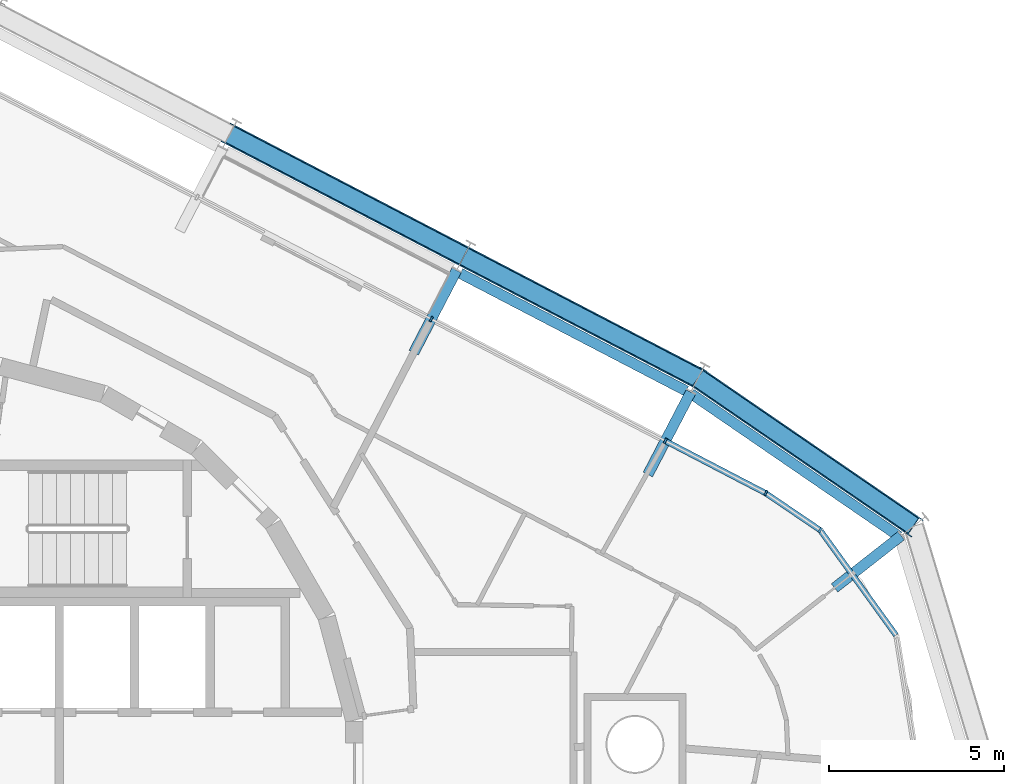
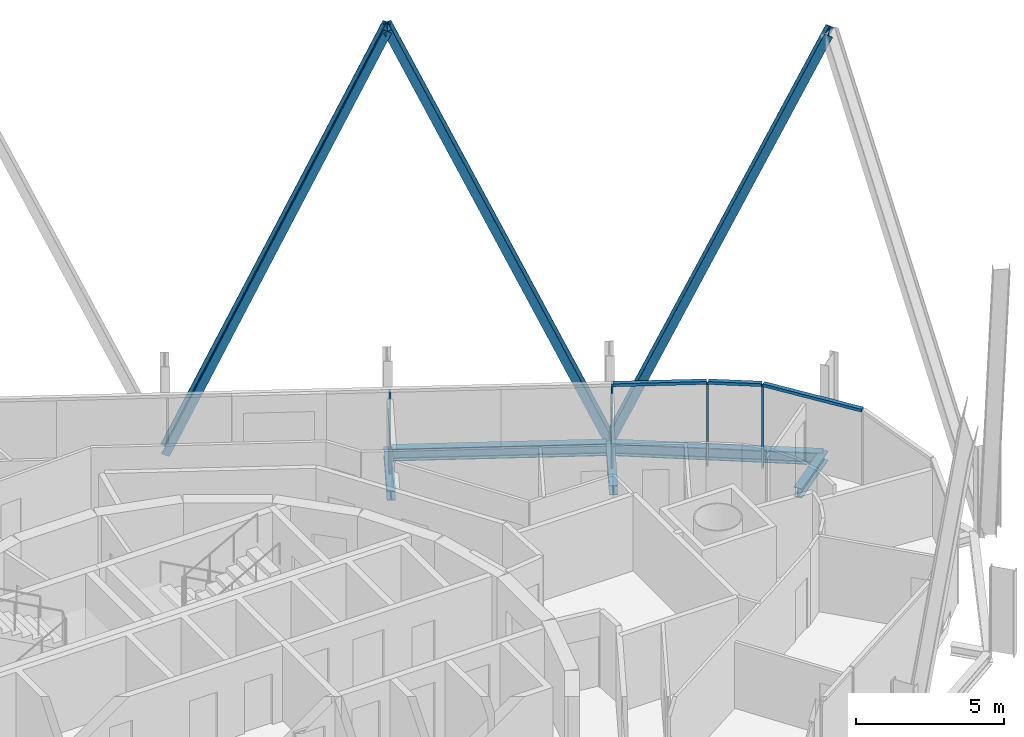
# One storey, part 9 of 18: 10 members, 5 beams, 2 elements without a shape of their own.
"""IFC4 building model written with IfcOpenShell, lengths in metres."""

from ifc_helpers import new_model, si_unit, direction, frame, origin, origin_2d, place, context, subcontext, project, spatial, rectangle, i_section, extrude, material, layer, layer_set, material_profile, profile_set, type_object, element, aggregate, save


model = new_model("IFC4")

# Units and contexts
model_context = context("Model", 3, precision=1e-05, world=origin(), true_north=direction((0.0, 1.0)))
body_context = subcontext(model_context, "Body", "Model", "MODEL_VIEW")
ifc_project = project(units=[si_unit("LENGTHUNIT", "METRE"), si_unit("AREAUNIT", "SQUARE_METRE"), si_unit("VOLUMEUNIT", "CUBIC_METRE"), si_unit("PLANEANGLEUNIT", "RADIAN"), si_unit("MASSUNIT", "GRAM", prefix="KILO")], contexts=[model_context])

# Site, building, storey
site_placement = place(None, origin())
site = spatial("IfcSite", under=ifc_project, at=site_placement, CompositionType="ELEMENT")
building_placement = place(site_placement, origin())
building = spatial("IfcBuilding", under=site, at=building_placement, Name="Spindle Arch Residences", CompositionType="ELEMENT")
storey_placement = place(building_placement, frame((0.0, 0.0, 240.699951171875)))
storey = spatial("IfcBuildingStorey", under=building, at=storey_placement, Name="L61", CompositionType="ELEMENT", Elevation=240.699951171875)

# Curtain wall, members
ifc_material_1 = material(Name="Aluminium bronze unitised frame with tinted glass", Category="aluminium")
ifc_layer_1 = layer(ifc_material_1, 0.159912109375)
ifc_layer_set_1 = layer_set([ifc_layer_1], Name="CW-D corner wall on the fillet arcs")
curtain_wall_type_1 = type_object("IfcCurtainWallType", Name="CW-D corner wall on the fillet arcs", PredefinedType="NOTDEFINED", material=ifc_layer_set_1)
curtain_wall_1_placement = place(storey_placement, origin())
curtain_wall_1 = element("IfcCurtainWall", 1, at=curtain_wall_1_placement, inside=storey, type_object=curtain_wall_type_1, Name="CW-D L61 run 1", PredefinedType="NOTDEFINED")
ifc_material_2 = material(Name="Aluminium bronze anodised mullion", Category="aluminium")
ifc_material_profile_1 = material_profile(ifc_material_2, rectangle(XDim=0.159912109375, YDim=0.06005859375, at=origin_2d()), Name="MU 60x160")
ifc_profile_set_1 = profile_set([ifc_material_profile_1], Name="Aluminium bronze anodised mullion")
member_type_1 = type_object("IfcMemberType", Name="Bronze mullion 60x160", PredefinedType="MULLION", material=ifc_profile_set_1)
member_1_placement = place(storey_placement, frame((24.93310546875, 6.971435546875, -0.3798828125), z_axis=(0.0, 0.0, 1.0), x_axis=(-0.561602105546, -0.827407441981, 0.0)))
member_1 = element("IfcMember", 2, at=member_1_placement, type_object=member_type_1, Name="CW-D mullion 05", PredefinedType="MULLION", context=body_context, shape_type="SweptSolid", body=[
    extrude(rectangle(XDim=0.159912109375, YDim=0.06005859375, at=origin_2d()), origin(), (0.0, 0.0, 1.0), 3.3798828125),
])
member_2_placement = place(storey_placement, frame((23.380859375, 8.02490234375, -0.3798828125), z_axis=(0.0, 0.0, 1.0), x_axis=(-0.461748613235, -0.887010833178, 0.0)))
member_2 = element("IfcMember", 3, at=member_2_placement, type_object=member_type_1, Name="CW-D mullion 06", PredefinedType="MULLION", context=body_context, shape_type="SweptSolid", body=[
    extrude(rectangle(XDim=0.159912109375, YDim=0.06005859375, at=origin_2d()), origin(), (0.0, 0.0, 1.0), 3.3798828125),
])

ifc_material_3 = material(Name="Aluminium bronze unitised frame with tinted glass", Category="aluminium")
ifc_layer_2 = layer(ifc_material_3, 0.159912109375)
ifc_layer_set_2 = layer_set([ifc_layer_2], Name="CW-C typical residential unitised wall")
curtain_wall_type_2 = type_object("IfcCurtainWallType", Name="CW-C typical residential unitised wall", PredefinedType="NOTDEFINED", material=ifc_layer_set_2)
curtain_wall_2_placement = place(storey_placement, origin())
curtain_wall_2 = element("IfcCurtainWall", 4, at=curtain_wall_2_placement, inside=storey, type_object=curtain_wall_type_2, Name="CW-C L61 run 2", PredefinedType="NOTDEFINED")
member_3_placement = place(storey_placement, frame((20.517333984375, 9.515625, -0.3798828125), z_axis=(0.0, 0.0, 1.0), x_axis=(-0.461748613235, -0.887010833178, 0.0)))
member_3 = element("IfcMember", 5, at=member_3_placement, type_object=member_type_1, Name="CW-C mullion 05", PredefinedType="MULLION", context=body_context, shape_type="SweptSolid", body=[
    extrude(rectangle(XDim=0.159912109375, YDim=0.06005859375, at=origin_2d()), origin(), (0.0, 0.0, 1.0), 3.3798828125),
])
member_4_placement = place(storey_placement, frame((13.837890625, 12.99267578125, -0.3798828125), z_axis=(0.0, 0.0, 1.0), x_axis=(-0.461748613235, -0.887010833178, 0.0)))
member_4 = element("IfcMember", 6, at=member_4_placement, type_object=member_type_1, Name="CW-C mullion 06", PredefinedType="MULLION", context=body_context, shape_type="SweptSolid", body=[
    extrude(rectangle(XDim=0.159912109375, YDim=0.06005859375, at=origin_2d()), origin(), (0.0, 0.0, 1.0), 3.3798828125),
])
aggregate(curtain_wall_2, [member_3, member_4])

# Member
ifc_material_4 = material(Name="Aluminium bronze anodised transom", Category="aluminium")
ifc_material_profile_2 = material_profile(ifc_material_4, rectangle(XDim=0.159912109375, YDim=0.1201171875, at=origin_2d()), Name="TR 120x160")
ifc_profile_set_2 = profile_set([ifc_material_profile_2], Name="Aluminium bronze anodised transom")
member_type_2 = type_object("IfcMemberType", Name="Bronze transom 120x160", PredefinedType="USERDEFINED", material=ifc_profile_set_2)
member_5_placement = place(storey_placement, frame((27.097412109375, 3.974365234375, 3.06005859375), z_axis=(-0.585456519469, 0.810703807695, 0.0), x_axis=(-0.810703807695, -0.585456519469, 0.0)))
member_5 = element("IfcMember", 7, at=member_5_placement, type_object=member_type_2, Name="CW-D transom 04", ObjectType="TRANSOM", PredefinedType="USERDEFINED", context=body_context, shape_type="SweptSolid", body=[
    extrude(rectangle(XDim=0.159912109375, YDim=0.1201171875, at=origin_2d()), origin(), (0.0, 0.0, 1.0), 3.666748046875),
])

member_6_placement = place(storey_placement, frame((24.908447265625, 6.98828125, 3.06005859375), z_axis=(-0.827451234698, 0.561537580396, 0.0), x_axis=(-0.561537580396, -0.827451234698, 0.0)))
member_6 = element("IfcMember", 8, at=member_6_placement, type_object=member_type_2, Name="CW-D transom 05", ObjectType="TRANSOM", PredefinedType="USERDEFINED", context=body_context, shape_type="SweptSolid", body=[
    extrude(rectangle(XDim=0.159912109375, YDim=0.1201171875, at=origin_2d()), origin(), (0.0, 0.0, 1.0), 1.816162109375),
])

member_7_placement = place(storey_placement, frame((23.354248046875, 8.038818359375, 3.06005859375), z_axis=(-0.886987077292, 0.461794245002, 0.0), x_axis=(-0.461794245002, -0.886987077292, 0.0)))
member_7 = element("IfcMember", 9, at=member_7_placement, type_object=member_type_2, Name="CW-D transom 06", ObjectType="TRANSOM", PredefinedType="USERDEFINED", context=body_context, shape_type="SweptSolid", body=[
    extrude(rectangle(XDim=0.159912109375, YDim=0.1201171875, at=origin_2d()), origin(), (0.0, 0.0, 1.0), 3.16845703125),
])

aggregate(curtain_wall_1, [member_5, member_1, member_6, member_2, member_7])

# Members
ifc_material_5 = material(Name="Steel S460ML, intumescent coating R 240", Category="steel")
ifc_material_profile_3 = material_profile(ifc_material_5, i_section(OverallWidth=0.300048828125, OverallDepth=0.60009765625, WebThickness=0.015380859375, FlangeThickness=0.030029296875, FilletRadius=0.027099609375, at=origin_2d()), Name="HEB 600")
ifc_profile_set_3 = profile_set([ifc_material_profile_3], Name="Steel S460ML, intumescent coating R 240")
member_type_3 = type_object("IfcMemberType", Name="Diagrid diagonal HEB 600", PredefinedType="BRACE", material=ifc_profile_set_3)
member_8_placement = place(storey_placement, frame((21.449951171875, 11.3076171875, -0.6298828125), z_axis=(0.326808971049, -0.224201024175, 0.918112083136), x_axis=(-0.757081738052, 0.519381400426, 0.396320833163)))
element("IfcMember", 10, at=member_8_placement, inside=storey, type_object=member_type_3, Name="Diagrid diagonal 6.2.5", PredefinedType="BRACE", context=body_context, shape_type="SweptSolid", body=[
    extrude(i_section(OverallWidth=0.300048828125, OverallDepth=0.60009765625, WebThickness=0.015380859375, FlangeThickness=0.030029296875, FilletRadius=0.027099609375, at=origin_2d()), origin(), (0.0, 0.0, 1.0), 18.8134765625),
])
member_9_placement = place(storey_placement, frame((21.449951171875, 11.3076171875, -0.6298828125), z_axis=(-0.354467798447, 0.184515531752, 0.916682386875), x_axis=(0.813115404599, -0.423261074527, 0.399616568217)))
element("IfcMember", 11, at=member_9_placement, inside=storey, type_object=member_type_3, Name="Diagrid diagonal 6.2.6", PredefinedType="BRACE", context=body_context, shape_type="SweptSolid", body=[
    extrude(i_section(OverallWidth=0.300048828125, OverallDepth=0.60009765625, WebThickness=0.015380859375, FlangeThickness=0.030029296875, FilletRadius=0.027099609375, at=origin_2d()), origin(), (0.0, 0.0, 1.0), 18.8427734375),
])
member_10_placement = place(storey_placement, frame((8.09130859375, 18.261474609375, -0.6298828125), z_axis=(0.354478279569, -0.184527199738, 0.916675985215), x_axis=(-0.813103890077, 0.42326933011, 0.399631252693)))
element("IfcMember", 12, at=member_10_placement, inside=storey, type_object=member_type_3, Name="Diagrid diagonal 6.2.7", PredefinedType="BRACE", context=body_context, shape_type="SweptSolid", body=[
    extrude(i_section(OverallWidth=0.300048828125, OverallDepth=0.60009765625, WebThickness=0.015380859375, FlangeThickness=0.030029296875, FilletRadius=0.027099609375, at=origin_2d()), origin(), (0.0, 0.0, 1.0), 18.843017578125),
])

# Beams
ifc_material_6 = material(Name="Steel S460ML, intumescent coating R 120", Category="steel")
ifc_material_profile_4 = material_profile(ifc_material_6, i_section(OverallWidth=0.300048828125, OverallDepth=0.5, WebThickness=0.014404296875, FlangeThickness=0.028076171875, FilletRadius=0.027099609375, at=origin_2d()), Name="HEB 500")
ifc_profile_set_4 = profile_set([ifc_material_profile_4], Name="Steel S460ML, intumescent coating R 120")
beam_type_1 = type_object("IfcBeamType", Name="Exoskeleton edge beam HEB 500", PredefinedType="BEAM", material=ifc_profile_set_4)
beam_1_placement = place(storey_placement, frame((27.1845703125, 6.7939453125, -0.6298828125), z_axis=(-0.82461761875, 0.565690536289, 0.0), x_axis=(-0.565690536289, -0.82461761875, 0.0)))
element("IfcBeam", 13, at=beam_1_placement, inside=storey, type_object=beam_type_1, Name="Exoskeleton edge beam 5", PredefinedType="BEAM", context=body_context, shape_type="SweptSolid", body=[
    extrude(i_section(OverallWidth=0.300048828125, OverallDepth=0.5, WebThickness=0.014404296875, FlangeThickness=0.028076171875, FilletRadius=0.027099609375, at=origin_2d()), origin(), (0.0, 0.0, 1.0), 7.196044921875),
])
beam_2_placement = place(storey_placement, frame((21.113037109375, 10.94189453125, -0.6298828125), z_axis=(-0.887028136443, 0.461715372452, 0.0), x_axis=(-0.461715372452, -0.887028136443, 0.0)))
element("IfcBeam", 14, at=beam_2_placement, inside=storey, type_object=beam_type_1, Name="Exoskeleton edge beam 6", PredefinedType="BEAM", context=body_context, shape_type="SweptSolid", body=[
    extrude(i_section(OverallWidth=0.300048828125, OverallDepth=0.5, WebThickness=0.014404296875, FlangeThickness=0.028076171875, FilletRadius=0.027099609375, at=origin_2d()), origin(), (0.0, 0.0, 1.0), 7.27001953125),
])
ifc_material_7 = material(Name="Steel S460ML, intumescent coating R 120", Category="steel")
ifc_material_profile_5 = material_profile(ifc_material_7, i_section(OverallWidth=0.300048828125, OverallDepth=0.389892578125, WebThickness=0.010986328125, FlangeThickness=0.01904296875, FilletRadius=0.027099609375, at=origin_2d()), Name="HEA 400")
ifc_profile_set_5 = profile_set([ifc_material_profile_5], Name="Steel S460ML, intumescent coating R 120")
beam_type_2 = type_object("IfcBeamType", Name="Floor outrigger HEA 400", PredefinedType="BEAM", material=ifc_profile_set_5)
beam_3_placement = place(storey_placement, frame((27.244140625, 6.81201171875, -0.574951171875), z_axis=(-0.786970935565, -0.616990070079, 0.0), x_axis=(0.616990070079, -0.786970935565, 0.0)))
element("IfcBeam", 15, at=beam_3_placement, inside=storey, type_object=beam_type_2, Name="Floor outrigger 5", PredefinedType="BEAM", context=body_context, shape_type="SweptSolid", body=[
    extrude(i_section(OverallWidth=0.300048828125, OverallDepth=0.389892578125, WebThickness=0.010986328125, FlangeThickness=0.01904296875, FilletRadius=0.027099609375, at=origin_2d()), origin(), (0.0, 0.0, 1.0), 2.412841796875),
])
for number, where, z_axis, x_axis, name in (
    (16, (21.2421875, 10.908203125, -0.574951171875), (-0.461784931359, -0.886991926215, 0.0), (0.886991926215, -0.461784931359, 0.0), "Floor outrigger 6"),
    (17, (14.56298828125, 14.38525390625, -0.574951171875), (-0.461784931359, -0.886991926215, 0.0), (0.886991926215, -0.461784931359, 0.0), "Floor outrigger 7"),
):
    element("IfcBeam", number, at=place(storey_placement, frame(where, z_axis=z_axis, x_axis=x_axis)), inside=storey, type_object=beam_type_2, Name=name, PredefinedType="BEAM", context=body_context, shape_type="SweptSolid", body=[
        extrude(i_section(OverallWidth=0.300048828125, OverallDepth=0.389892578125, WebThickness=0.010986328125, FlangeThickness=0.01904296875, FilletRadius=0.027099609375, at=origin_2d()), origin(), (0.0, 0.0, 1.0), 2.64990234375),
    ])

save(model, "model.ifc")
